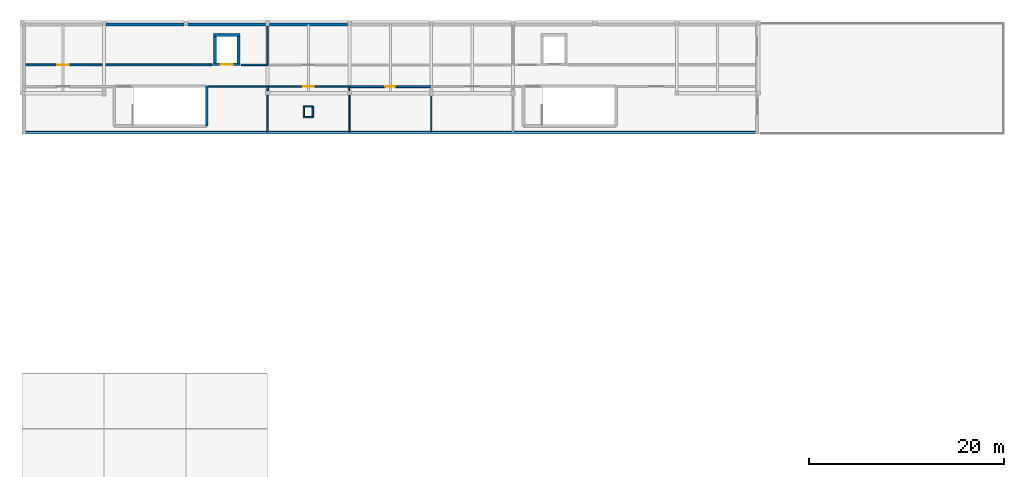
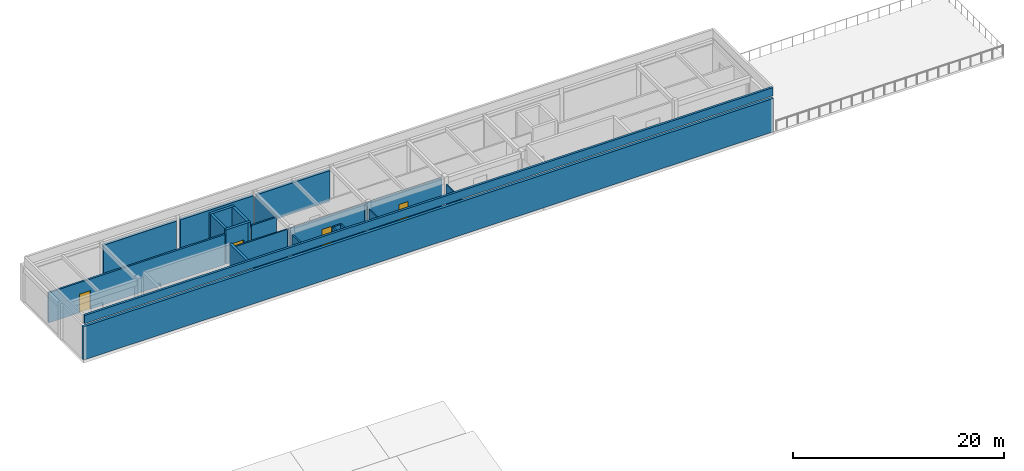
# One storey, part 2 of 6: 25 walls, 4 doors, 4 openings.
"""IFC4 building model written with IfcOpenShell, lengths in metres."""

from ifc_helpers import new_model, si_unit, direction, frame, frame_2d, origin, place, context, subcontext, project, spatial, rectangle, extrude, material, layer, layer_set, type_object, element, fill, save


model = new_model("IFC4")

# Units and contexts
model_context = context("Model", 3, precision=1e-05, world=origin(), true_north=direction((0.0, 1.0)))
body_context = subcontext(model_context, "Body", "Model", "MODEL_VIEW")
ifc_project = project(units=[si_unit("LENGTHUNIT", "METRE"), si_unit("AREAUNIT", "SQUARE_METRE"), si_unit("VOLUMEUNIT", "CUBIC_METRE"), si_unit("PLANEANGLEUNIT", "RADIAN"), si_unit("MASSUNIT", "GRAM", prefix="KILO")], contexts=[model_context])

# Site, building, storey
site_placement = place(None, origin())
site = spatial("IfcSite", under=ifc_project, at=site_placement, CompositionType="ELEMENT")
building_placement = place(site_placement, origin())
building = spatial("IfcBuilding", under=site, at=building_placement, Name="Malvenik Polytechnic", CompositionType="ELEMENT")
storey_placement = place(building_placement, frame((0.0, 0.0, 26.10009765625)))
storey = spatial("IfcBuildingStorey", under=building, at=storey_placement, Name="L06", CompositionType="ELEMENT", Elevation=26.10009765625)

# Wall, opening, door
ifc_material_1 = material(Name="Concrete C35/45", Category="concrete")
ifc_layer_1 = layer(ifc_material_1, 0.280029296875)
ifc_layer_set_1 = layer_set([ifc_layer_1], Name="Concrete C35/45")
wall_type_1 = type_object("IfcWallType", Name="ARC-CW-S280", PredefinedType="SHEAR", material=ifc_layer_set_1)
wall_1_placement = place(storey_placement, frame((22.340087890625, 125.35009765625, 0.0), z_axis=(0.0, 0.0, 1.0), x_axis=(-1.0, 0.0, 0.0)))
wall_1 = element("IfcWall", 1, at=wall_1_placement, inside=storey, type_object=wall_type_1, Name="Lift Shaft Shear Wall LS-01 L06 -Y", PredefinedType="SHEAR", context=body_context, shape_type="SweptSolid", body=[
    extrude(rectangle(XDim=2.68017578125, YDim=0.280029296875, at=frame_2d((1.340087890625, 0.0))), origin(), (0.0, 0.0, 1.0), 3.9599609375),
])
opening_1_placement = place(wall_1_placement, frame((0.739990234375, 0.0, 0.0)))
opening_1 = element("IfcOpeningElement", 2, at=opening_1_placement, cuts=wall_1, Name="Opening LD-02", PredefinedType="OPENING", context=body_context, shape_type="SweptSolid", body=[
    extrude(rectangle(XDim=1.199951171875, YDim=2.14990234375, at=frame_2d((0.60009765625, 1.074951171875))), frame((0.0, 0.14990234375, 0.0), z_axis=(0.0, -1.0, 0.0), x_axis=(1.0, 0.0, 0.0)), (0.0, 0.0, 1.0), 0.300048828125),
])
ifc_material_2 = material(Name="Stainless steel fire-rated sliding lift landing door", Category="steel")
door_type_1 = type_object("IfcDoorType", Name="ARC-LDR-LD-02", OperationType="NOTDEFINED", PredefinedType="DOOR", material=ifc_material_2)
door_1_placement = place(opening_1_placement, origin())
door_1 = element("IfcDoor", 3, at=door_1_placement, inside=storey, type_object=door_type_1, Name="Lift Sliding Landing Door LS-01 L06", OperationType="DOUBLE_DOOR_SLIDING", OverallHeight=2.14990234375, OverallWidth=1.199951171875, PredefinedType="DOOR", context=body_context, shape_type="SweptSolid", body=[
    extrude(rectangle(XDim=1.199951171875, YDim=2.14990234375, at=frame_2d((0.60009765625, 1.074951171875))), frame((0.0, 0.02490234375, 0.0), z_axis=(0.0, -1.0, 0.0), x_axis=(1.0, 0.0, 0.0)), (0.0, 0.0, 1.0), 0.050048828125),
])
fill(opening_1, door_1)

# Walls
wall_2_placement = place(storey_placement, frame((19.659912109375, 128.35009765625, 0.0), z_axis=(0.0, 0.0, 1.0), x_axis=(1.0, 0.0, 0.0)))
element("IfcWall", 4, at=wall_2_placement, inside=storey, type_object=wall_type_1, Name="Lift Shaft Shear Wall LS-01 L06 +Y", PredefinedType="SHEAR", context=body_context, shape_type="SweptSolid", body=[
    extrude(rectangle(XDim=2.68017578125, YDim=0.280029296875, at=frame_2d((1.340087890625, 0.0))), origin(), (0.0, 0.0, 1.0), 3.9599609375),
])
for number, where, z_axis, x_axis, name in (
    (5, (19.800048828125, 125.2099609375, 0.0), (0.0, 0.0, 1.0), (0.0, 1.0, 0.0), "Lift Shaft Shear Wall LS-01 L06 -X"),
    (6, (22.199951171875, 128.489990234375, 0.0), (0.0, 0.0, 1.0), (0.0, -1.0, 0.0), "Lift Shaft Shear Wall LS-01 L06 +X"),
):
    element("IfcWall", number, at=place(storey_placement, frame(where, z_axis=z_axis, x_axis=x_axis)), inside=storey, type_object=wall_type_1, Name=name, PredefinedType="SHEAR", context=body_context, shape_type="SweptSolid", body=[
        extrude(rectangle(XDim=3.280029296875, YDim=0.280029296875, at=frame_2d((1.64013671875, 0.0))), origin(), (0.0, 0.0, 1.0), 3.9599609375),
    ])
ifc_layer_2 = layer(ifc_material_1, 0.300048828125)
ifc_layer_set_2 = layer_set([ifc_layer_2], Name="Concrete C35/45")
wall_type_2 = type_object("IfcWallType", Name="ARC-CW-S300", PredefinedType="SHEAR", material=ifc_layer_set_2)
wall_3_placement = place(storey_placement, frame((18.949951171875, 123.10009765625, 0.0), z_axis=(0.0, 0.0, 1.0), x_axis=(0.0, -1.0, 0.0)))
element("IfcWall", 7, at=wall_3_placement, inside=storey, type_object=wall_type_2, Name="Stair Core Shear Wall ST-01 L06 FAR", PredefinedType="SHEAR", context=body_context, shape_type="SweptSolid", body=[
    extrude(rectangle(XDim=4.10009765625, YDim=0.300048828125, at=frame_2d((2.050048828125, 0.0))), origin(), (0.0, 0.0, 1.0), 3.9599609375),
])
ifc_material_3 = material(Name="Brick masonry M15", Category="masonry")
ifc_layer_3 = layer(ifc_material_3, 0.2900390625)
ifc_layer_set_3 = layer_set([ifc_layer_3], Name="Brick masonry M15")
wall_type_3 = type_object("IfcWallType", Name="ARC-EW-290", PredefinedType="SOLIDWALL", material=ifc_layer_set_3)
wall_4_placement = place(storey_placement, frame((75.60009765625, 118.3701171875, 0.0), z_axis=(0.0, 0.0, 1.0), x_axis=(-1.0, 0.0, 0.0)))
element("IfcWall", 8, at=wall_4_placement, inside=storey, type_object=wall_type_3, Name="External Facade Wall EW-04 L06 #491", PredefinedType="SOLIDWALL", context=body_context, shape_type="SweptSolid", body=[
    extrude(rectangle(XDim=75.60009765625, YDim=0.2900390625, at=frame_2d((37.800048828125, 0.0))), origin(), (0.0, 0.0, 1.0), 3.85986328125),
])
wall_5_placement = place(storey_placement, frame((8.597900390625, 129.429931640625, 0.0), z_axis=(0.0, 0.0, 1.0), x_axis=(1.0, 0.0, 0.0)))
element("IfcWall", 9, at=wall_5_placement, inside=storey, type_object=wall_type_3, Name="External Facade Wall EW-04 L06 #495", PredefinedType="SOLIDWALL", context=body_context, shape_type="SweptSolid", body=[
    extrude(rectangle(XDim=8.004150390625, YDim=0.2900390625, at=frame_2d((4.001953125, 0.0))), origin(), (0.0, 0.0, 1.0), 3.58984375),
])
wall_6_placement = place(storey_placement, frame((16.998046875, 129.429931640625, 0.0), z_axis=(0.0, 0.0, 1.0), x_axis=(1.0, 0.0, 0.0)))
element("IfcWall", 10, at=wall_6_placement, inside=storey, type_object=wall_type_3, Name="External Facade Wall EW-04 L06 #496", PredefinedType="SOLIDWALL", context=body_context, shape_type="SweptSolid", body=[
    extrude(rectangle(XDim=8.00390625, YDim=0.2900390625, at=frame_2d((4.001953125, 0.0))), origin(), (0.0, 0.0, 1.0), 3.58984375),
])
wall_7_placement = place(storey_placement, frame((25.39794921875, 129.429931640625, 0.0), z_axis=(0.0, 0.0, 1.0), x_axis=(1.0, 0.0, 0.0)))
element("IfcWall", 11, at=wall_7_placement, inside=storey, type_object=wall_type_3, Name="External Facade Wall EW-04 L06 #497", PredefinedType="SOLIDWALL", context=body_context, shape_type="SweptSolid", body=[
    extrude(rectangle(XDim=7.97900390625, YDim=0.2900390625, at=frame_2d((3.989501953125, 0.0))), origin(), (0.0, 0.0, 1.0), 3.56982421875),
])

# Wall, opening, door
ifc_material_4 = material(Name="Calcium silicate fire-rated blockwork 200mm", Category="masonry")
ifc_layer_4 = layer(ifc_material_4, 0.199951171875)
ifc_layer_set_4 = layer_set([ifc_layer_4], Name="Calcium silicate fire-rated blockwork 200mm")
wall_type_4 = type_object("IfcWallType", Name="ARC-FW-200", PredefinedType="SOLIDWALL", material=ifc_layer_set_4)
wall_8_placement = place(storey_placement, frame((0.219970703125, 125.300048828125, 0.0), z_axis=(0.0, 0.0, 1.0), x_axis=(1.0, 0.0, 0.0)))
wall_8 = element("IfcWall", 12, at=wall_8_placement, inside=storey, type_object=wall_type_4, Name="Interior Partition FW-02 L06 #418", PredefinedType="SOLIDWALL", context=body_context, shape_type="SweptSolid", body=[
    extrude(rectangle(XDim=19.31005859375, YDim=0.199951171875, at=frame_2d((9.655029296875, 0.0))), origin(), (0.0, 0.0, 1.0), 3.494873046875),
])
opening_2_placement = place(wall_8_placement, frame((3.3798828125, 0.0, 0.0)))
opening_2 = element("IfcOpeningElement", 13, at=opening_2_placement, cuts=wall_8, Name="Opening FD-10", PredefinedType="OPENING", context=body_context, shape_type="SweptSolid", body=[
    extrude(rectangle(XDim=1.199951171875, YDim=2.14990234375, at=frame_2d((0.60009765625, 1.074951171875))), frame((0.0, 0.10986328125, 0.0), z_axis=(0.0, -1.0, 0.0), x_axis=(1.0, 0.0, 0.0)), (0.0, 0.0, 1.0), 0.219970703125),
])
ifc_material_5 = material(Name="Fire-rated laboratory corridor door", Category="steel")
door_type_2 = type_object("IfcDoorType", Name="ARC-IDR-FD-10", OperationType="NOTDEFINED", PredefinedType="DOOR", material=ifc_material_5)
door_2_placement = place(opening_2_placement, origin())
door_2 = element("IfcDoor", 14, at=door_2_placement, inside=storey, type_object=door_type_2, Name="Interior Door FD-10 L06 #175", OperationType="SINGLE_SWING_RIGHT", OverallHeight=2.14990234375, OverallWidth=1.199951171875, PredefinedType="DOOR", context=body_context, shape_type="SweptSolid", body=[
    extrude(rectangle(XDim=1.199951171875, YDim=2.14990234375, at=frame_2d((0.60009765625, 1.074951171875))), frame((0.0, 0.02490234375, 0.0), z_axis=(0.0, -1.0, 0.0), x_axis=(1.0, 0.0, 0.0)), (0.0, 0.0, 1.0), 0.050048828125),
])
fill(opening_2, door_2)

# Wall
wall_9_placement = place(storey_placement, frame((25.199951171875, 122.64501953125, 0.0), z_axis=(0.0, 0.0, 1.0), x_axis=(0.0, 1.0, 0.0)))
element("IfcWall", 15, at=wall_9_placement, inside=storey, type_object=wall_type_4, Name="Interior Partition FW-02 L06 #428", PredefinedType="SOLIDWALL", context=body_context, shape_type="SweptSolid", body=[
    extrude(rectangle(XDim=0.405029296875, YDim=0.199951171875, at=frame_2d((0.20263671875, 0.0))), origin(), (0.0, 0.0, 1.0), 3.344970703125),
])

# Wall, opening, door
wall_10_placement = place(storey_placement, frame((42.0, 123.050048828125, 0.0), z_axis=(0.0, 0.0, 1.0), x_axis=(-1.0, 0.0, 0.0)))
wall_10 = element("IfcWall", 16, at=wall_10_placement, inside=storey, type_object=wall_type_4, Name="Interior Partition FW-02 L06 #432", PredefinedType="SOLIDWALL", context=body_context, shape_type="SweptSolid", body=[
    extrude(rectangle(XDim=8.39990234375, YDim=0.199951171875, at=frame_2d((4.199951171875, 0.0))), origin(), (0.0, 0.0, 1.0), 3.494873046875),
])
opening_3_placement = place(wall_10_placement, frame((3.699951171875, 0.0, 0.0)))
opening_3 = element("IfcOpeningElement", 17, at=opening_3_placement, cuts=wall_10, Name="Opening FD-07", PredefinedType="OPENING", context=body_context, shape_type="SweptSolid", body=[
    extrude(rectangle(XDim=1.0, YDim=2.10009765625, at=frame_2d((0.5, 1.050048828125))), frame((0.0, 0.10986328125, 0.0), z_axis=(0.0, -1.0, 0.0), x_axis=(1.0, 0.0, 0.0)), (0.0, 0.0, 1.0), 0.219970703125),
])
ifc_material_6 = material(Name="Fire-rated washroom corridor door", Category="steel")
door_type_3 = type_object("IfcDoorType", Name="ARC-IDR-FD-07", OperationType="NOTDEFINED", PredefinedType="DOOR", material=ifc_material_6)
door_3_placement = place(opening_3_placement, origin())
door_3 = element("IfcDoor", 18, at=door_3_placement, inside=storey, type_object=door_type_3, Name="Interior Door FD-07 L06 #180", OperationType="SINGLE_SWING_RIGHT", OverallHeight=2.10009765625, OverallWidth=1.0, PredefinedType="DOOR", context=body_context, shape_type="SweptSolid", body=[
    extrude(rectangle(XDim=1.0, YDim=2.10009765625, at=frame_2d((0.5, 1.050048828125))), frame((0.0, 0.02490234375, 0.0), z_axis=(0.0, -1.0, 0.0), x_axis=(1.0, 0.0, 0.0)), (0.0, 0.0, 1.0), 0.050048828125),
])
fill(opening_3, door_3)

# Walls
ifc_material_7 = material(Name="Lightweight gypsum partition 110mm", Category="gypsum")
ifc_layer_5 = layer(ifc_material_7, 0.110107421875)
ifc_layer_set_5 = layer_set([ifc_layer_5], Name="Lightweight gypsum partition 110mm")
wall_type_5 = type_object("IfcWallType", Name="ARC-PW-110", PredefinedType="PARTITIONING", material=ifc_layer_set_5)
wall_11_placement = place(storey_placement, frame((33.60009765625, 122.6201171875, 0.0), z_axis=(0.0, 0.0, 1.0), x_axis=(0.0, 1.0, 0.0)))
element("IfcWall", 19, at=wall_11_placement, inside=storey, type_object=wall_type_5, Name="Interior Partition PW-04I L06 #431", PredefinedType="PARTITIONING", context=body_context, shape_type="SweptSolid", body=[
    extrude(rectangle(XDim=0.429931640625, YDim=0.110107421875, at=frame_2d((0.21484375, 0.0))), origin(), (0.0, 0.0, 1.0), 3.344970703125),
])
ifc_material_8 = material(Name="Metal-stud gypsum board partition 125mm", Category="gypsum")
ifc_layer_6 = layer(ifc_material_8, 0.125)
ifc_layer_set_6 = layer_set([ifc_layer_6], Name="Metal-stud gypsum board partition 125mm")
wall_type_6 = type_object("IfcWallType", Name="ARC-PW-125", PredefinedType="PARTITIONING", material=ifc_layer_set_6)
wall_12_placement = place(storey_placement, frame((33.60009765625, 118.419921875, 0.0), z_axis=(0.0, 0.0, 1.0), x_axis=(0.0, 1.0, 0.0)))
element("IfcWall", 20, at=wall_12_placement, inside=storey, type_object=wall_type_6, Name="Interior Partition PW-03I L06 #430", PredefinedType="PARTITIONING", context=body_context, shape_type="SweptSolid", body=[
    extrude(rectangle(XDim=3.760009765625, YDim=0.125, at=frame_2d((1.8798828125, 0.0))), origin(), (0.0, 0.0, 1.0), 3.344970703125),
])
wall_13_placement = place(storey_placement, frame((42.0, 118.419921875, 0.0), z_axis=(0.0, 0.0, 1.0), x_axis=(0.0, 1.0, 0.0)))
element("IfcWall", 21, at=wall_13_placement, inside=storey, type_object=wall_type_6, Name="Interior Partition PW-03I L06 #433", PredefinedType="PARTITIONING", context=body_context, shape_type="SweptSolid", body=[
    extrude(rectangle(XDim=3.66015625, YDim=0.125, at=frame_2d((1.830078125, 0.0))), origin(), (0.0, 0.0, 1.0), 3.344970703125),
])
ifc_material_9 = material(Name="Acoustic metal-stud gypsum partition 140mm", Category="gypsum")
ifc_layer_7 = layer(ifc_material_9, 0.139892578125)
ifc_layer_set_7 = layer_set([ifc_layer_7], Name="Acoustic metal-stud gypsum partition 140mm")
wall_type_7 = type_object("IfcWallType", Name="ARC-PW-140", PredefinedType="PARTITIONING", material=ifc_layer_set_7)
wall_14_placement = place(storey_placement, frame((25.199951171875, 125.300048828125, 0.0), z_axis=(0.0, 0.0, 1.0), x_axis=(0.0, 1.0, 0.0)))
element("IfcWall", 22, at=wall_14_placement, inside=storey, type_object=wall_type_7, Name="Interior Partition PW-02I L06 #420", PredefinedType="PARTITIONING", context=body_context, shape_type="SweptSolid", body=[
    extrude(rectangle(XDim=3.97998046875, YDim=0.139892578125, at=frame_2d((1.989990234375, 0.0))), origin(), (0.0, 0.0, 1.0), 3.494873046875),
])
ifc_material_10 = material(Name="Double-stud acoustic gypsum board partition 160mm", Category="gypsum")
ifc_layer_8 = layer(ifc_material_10, 0.159912109375)
ifc_layer_set_8 = layer_set([ifc_layer_8], Name="Double-stud acoustic gypsum board partition 160mm")
wall_type_8 = type_object("IfcWallType", Name="ARC-PW-160", PredefinedType="PARTITIONING", material=ifc_layer_set_8)
for number, where, z_axis, x_axis, name in (
    (23, (28.919921875, 119.919921875, 0.0), (0.0, 0.0, 1.0), (1.0, 0.0, 0.0), "Riser Shaft Enclosure L06 #54S"),
    (24, (29.830078125, 121.030029296875, 0.0), (0.0, 0.0, 1.0), (-1.0, 0.0, 0.0), "Riser Shaft Enclosure L06 #54N"),
):
    element("IfcWall", number, at=place(storey_placement, frame(where, z_axis=z_axis, x_axis=x_axis)), inside=storey, type_object=wall_type_8, Name=name, PredefinedType="PARTITIONING", context=body_context, shape_type="SweptSolid", body=[
        extrude(rectangle(XDim=0.91015625, YDim=0.159912109375, at=frame_2d((0.455078125, 0.0))), origin(), (0.0, 0.0, 1.0), 3.64990234375),
    ])
for number, where, z_axis, x_axis, name in (
    (25, (28.919921875, 121.030029296875, 0.0), (0.0, 0.0, 1.0), (0.0, -1.0, 0.0), "Riser Shaft Enclosure L06 #54W"),
    (26, (29.830078125, 119.919921875, 0.0), (0.0, 0.0, 1.0), (0.0, 1.0, 0.0), "Riser Shaft Enclosure L06 #54E"),
):
    element("IfcWall", number, at=place(storey_placement, frame(where, z_axis=z_axis, x_axis=x_axis)), inside=storey, type_object=wall_type_8, Name=name, PredefinedType="PARTITIONING", context=body_context, shape_type="SweptSolid", body=[
        extrude(rectangle(XDim=1.110107421875, YDim=0.159912109375, at=frame_2d((0.55517578125, 0.0))), origin(), (0.0, 0.0, 1.0), 3.64990234375),
    ])
wall_15_placement = place(storey_placement, frame((22.469970703125, 125.300048828125, 0.0), z_axis=(0.0, 0.0, 1.0), x_axis=(1.0, 0.0, 0.0)))
element("IfcWall", 27, at=wall_15_placement, inside=storey, type_object=wall_type_8, Name="Interior Partition PW-01I L06 #419", PredefinedType="PARTITIONING", context=body_context, shape_type="SweptSolid", body=[
    extrude(rectangle(XDim=2.72998046875, YDim=0.159912109375, at=frame_2d((1.364990234375, 0.0))), origin(), (0.0, 0.0, 1.0), 3.494873046875),
])
wall_16_placement = place(storey_placement, frame((25.199951171875, 123.050048828125, 0.0), z_axis=(0.0, 0.0, 1.0), x_axis=(-1.0, 0.0, 0.0)))
element("IfcWall", 28, at=wall_16_placement, inside=storey, type_object=wall_type_8, Name="Interior Partition PW-01I L06 #425", PredefinedType="PARTITIONING", context=body_context, shape_type="SweptSolid", body=[
    extrude(rectangle(XDim=6.10986328125, YDim=0.159912109375, at=frame_2d((3.054931640625, 0.0))), origin(), (0.0, 0.0, 1.0), 3.494873046875),
])
wall_17_placement = place(storey_placement, frame((25.199951171875, 118.419921875, 0.0), z_axis=(0.0, 0.0, 1.0), x_axis=(0.0, 1.0, 0.0)))
element("IfcWall", 29, at=wall_17_placement, inside=storey, type_object=wall_type_8, Name="Interior Partition PW-01I L06 #427", PredefinedType="PARTITIONING", context=body_context, shape_type="SweptSolid", body=[
    extrude(rectangle(XDim=3.735107421875, YDim=0.159912109375, at=frame_2d((1.86767578125, 0.0))), origin(), (0.0, 0.0, 1.0), 3.344970703125),
])

# Wall, opening, door
wall_18_placement = place(storey_placement, frame((33.60009765625, 123.050048828125, 0.0), z_axis=(0.0, 0.0, 1.0), x_axis=(-1.0, 0.0, 0.0)))
wall_18 = element("IfcWall", 30, at=wall_18_placement, inside=storey, type_object=wall_type_8, Name="Interior Partition PW-01I L06 #429", PredefinedType="PARTITIONING", context=body_context, shape_type="SweptSolid", body=[
    extrude(rectangle(XDim=8.400146484375, YDim=0.159912109375, at=frame_2d((4.2001953125, 0.0))), origin(), (0.0, 0.0, 1.0), 3.494873046875),
])
opening_4_placement = place(wall_18_placement, frame((3.675048828125, 0.0, 0.0)))
opening_4 = element("IfcOpeningElement", 31, at=opening_4_placement, cuts=wall_18, Name="Opening FD-05", PredefinedType="OPENING", context=body_context, shape_type="SweptSolid", body=[
    extrude(rectangle(XDim=1.050048828125, YDim=2.14990234375, at=frame_2d((0.52490234375, 1.074951171875))), frame((0.0, 0.08984375, 0.0), z_axis=(0.0, -1.0, 0.0), x_axis=(1.0, 0.0, 0.0)), (0.0, 0.0, 1.0), 0.179931640625),
])
ifc_material_11 = material(Name="Fire-rated archive room door", Category="steel")
door_type_4 = type_object("IfcDoorType", Name="ARC-IDR-FD-05", OperationType="NOTDEFINED", PredefinedType="DOOR", material=ifc_material_11)
door_4_placement = place(opening_4_placement, origin())
door_4 = element("IfcDoor", 32, at=door_4_placement, inside=storey, type_object=door_type_4, Name="Interior Door FD-05 L06 #179", OperationType="SINGLE_SWING_LEFT", OverallHeight=2.14990234375, OverallWidth=1.050048828125, PredefinedType="DOOR", context=body_context, shape_type="SweptSolid", body=[
    extrude(rectangle(XDim=1.050048828125, YDim=2.14990234375, at=frame_2d((0.52490234375, 1.074951171875))), frame((0.0, 0.02490234375, 0.0), z_axis=(0.0, -1.0, 0.0), x_axis=(1.0, 0.0, 0.0)), (0.0, 0.0, 1.0), 0.050048828125),
])
fill(opening_4, door_4)

# Wall
ifc_material_12 = material(Name="Precast concrete C40/50", Category="concrete")
ifc_layer_9 = layer(ifc_material_12, 0.239990234375)
ifc_layer_set_9 = layer_set([ifc_layer_9], Name="Precast concrete C40/50")
wall_type_9 = type_object("IfcWallType", Name="ARC-PW-240", PredefinedType="PARAPET", material=ifc_layer_set_9)
wall_19_placement = place(storey_placement, frame((75.47998046875, 118.320068359375, 4.199951171875), z_axis=(0.0, 0.0, 1.0), x_axis=(-1.0, 0.0, 0.0)))
element("IfcWall", 33, at=wall_19_placement, inside=storey, type_object=wall_type_9, Name="Roof Parapet Wall PW-01 #3", PredefinedType="PARAPET", context=body_context, shape_type="SweptSolid", body=[
    extrude(rectangle(XDim=75.35986328125, YDim=0.239990234375, at=frame_2d((37.679931640625, 0.0))), origin(), (0.0, 0.0, 1.0), 0.949951171875),
])

save(model, "model.ifc")
